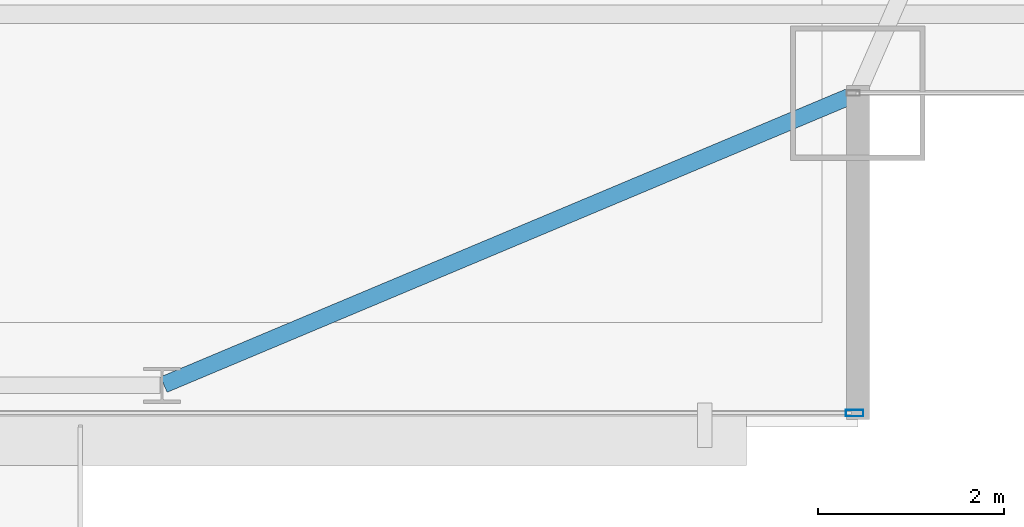
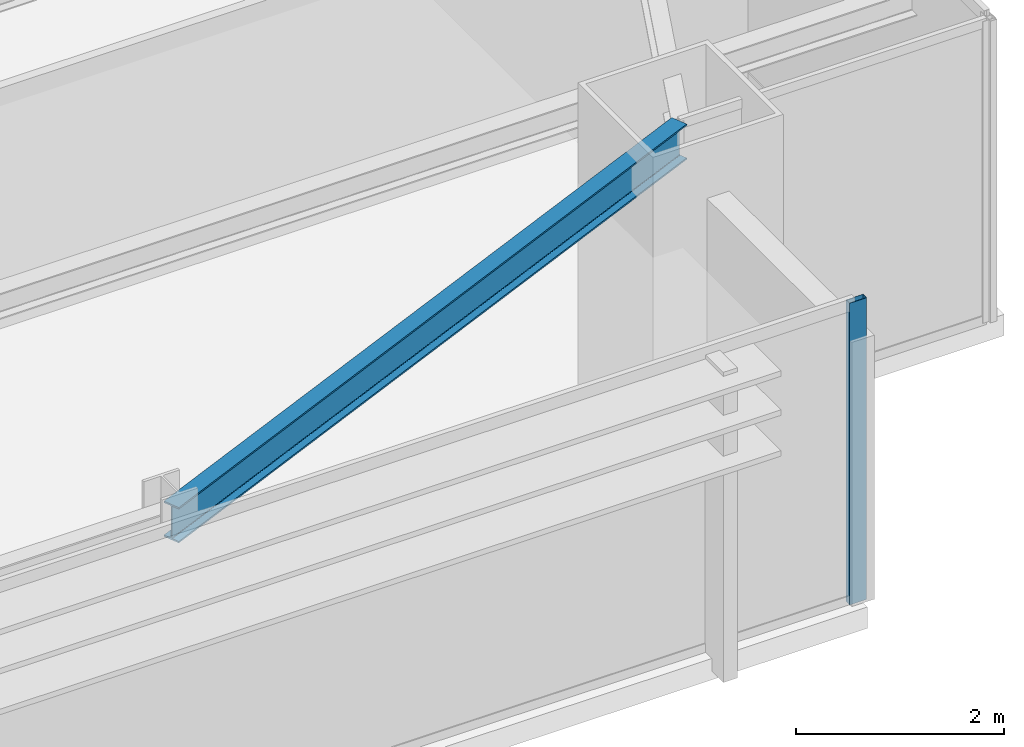
# One storey, part 14 of 37: 1 beam, 1 member, 1 element without a shape of its own.
"""IFC4 building model written with IfcOpenShell, lengths in metres."""

from ifc_helpers import new_model, si_unit, direction, frame, origin, origin_2d, place, context, subcontext, project, spatial, hollow_rectangle, i_section, extrude, source, transform, mapped, material, layer, layer_set, material_profile, profile_set, type_object, type_shapes, element, aggregate, save


model = new_model("IFC4")

# Units and contexts
model_context = context("Model", 3, precision=1e-05, world=origin(), true_north=direction((0.0, 1.0)))
body_context = subcontext(model_context, "Body", "Model", "MODEL_VIEW")
ifc_project = project(units=[si_unit("LENGTHUNIT", "METRE"), si_unit("AREAUNIT", "SQUARE_METRE"), si_unit("VOLUMEUNIT", "CUBIC_METRE"), si_unit("PLANEANGLEUNIT", "RADIAN"), si_unit("MASSUNIT", "GRAM", prefix="KILO")], contexts=[model_context])

# Site, building, storey
site_placement = place(None, origin())
site = spatial("IfcSite", under=ifc_project, at=site_placement, CompositionType="ELEMENT")
building_placement = place(site_placement, origin())
building = spatial("IfcBuilding", under=site, at=building_placement, Name="Varnel Quay Broadcast Tower", CompositionType="ELEMENT")
storey_placement = place(building_placement, frame((0.0, 0.0, 106.800048828125)))
storey = spatial("IfcBuildingStorey", under=building, at=storey_placement, Name="L25", CompositionType="ELEMENT", Elevation=106.800048828125)

# Beam
ifc_material_1 = material(Name="Structural Steel CSA G40.21 350W", Category="steel")
ifc_material_profile_1 = material_profile(ifc_material_1, i_section(OverallWidth=0.180908203125, OverallDepth=0.4169921875, WebThickness=0.010986328125, FlangeThickness=0.018310546875, FilletRadius=0.011962890625, at=origin_2d()), Name="W410X85")
ifc_profile_set_1 = profile_set([ifc_material_profile_1], Name="Structural Steel CSA G40.21 350W")
beam_type = type_object("IfcBeamType", Name="Beam_W410X85", PredefinedType="SPANDREL", material=ifc_profile_set_1)
shared_shape_1 = source(origin(), body_context, "Body", "SweptSolid", [
    extrude(i_section(OverallWidth=0.180908203125, OverallDepth=0.4169921875, WebThickness=0.010986328125, FlangeThickness=0.018310546875, FilletRadius=0.011962890625, at=origin_2d()), origin(), (0.0, 0.0, 1.0), 8.0947265625),
])
type_shapes(beam_type, [shared_shape_1])
beam_placement = place(storey_placement, frame((52.41845703125, 4.65771484375, 3.341552734375), z_axis=(0.921981890247, 0.387232997117, 0.0), x_axis=(-0.387232997117, 0.921981890247, 0.0)))
element("IfcBeam", 1, at=beam_placement, inside=storey, type_object=beam_type, Name="L25 South Spandrel TC-S5-MC-SE", PredefinedType="SPANDREL", context=body_context, shape_type="MappedRepresentation", body=[
    mapped(shared_shape_1, transform((0.0, 0.0, 0.0), x_axis=(1.0, 0.0, 0.0), y_axis=(0.0, 1.0, 0.0), z_axis=(0.0, 0.0, 1.0), scale=1.0)),
])

# Curtain wall, member
ifc_material_2 = material(Name="Anodised Bronze Aluminium 6063-T6", Category="aluminium")
ifc_layer = layer(ifc_material_2, 0.18994140625, Name="Anodised Bronze Aluminium 6063-T6")
ifc_layer_set = layer_set([ifc_layer], Name="Anodised Bronze Aluminium 6063-T6")
curtain_wall_type = type_object("IfcCurtainWallType", Name="CW_LowerTower", PredefinedType="NOTDEFINED", material=ifc_layer_set)
curtain_wall_placement = place(storey_placement, origin())
curtain_wall = element("IfcCurtainWall", 2, at=curtain_wall_placement, inside=storey, type_object=curtain_wall_type, Name="L25 South Unitised Curtain Wall 3", PredefinedType="NOTDEFINED")
ifc_material_profile_2 = material_profile(ifc_material_2, hollow_rectangle(XDim=0.070068359375, YDim=0.18994140625, WallThickness=0.00390625, at=origin_2d()), Name="ALU70X190X4")
ifc_profile_set_2 = profile_set([ifc_material_profile_2], Name="Anodised Bronze Aluminium 6063-T6")
member_type = type_object("IfcMemberType", Name="Mull_CWS-02", PredefinedType="MULLION", material=ifc_profile_set_2)
shared_shape_2 = source(origin(), body_context, "Body", "SweptSolid", [
    extrude(hollow_rectangle(XDim=0.070068359375, YDim=0.18994140625, WallThickness=0.00390625, at=origin_2d()), origin(), (0.0, 0.0, 1.0), 3.550048828125),
])
type_shapes(member_type, [shared_shape_2])
member_placement = place(storey_placement, frame((59.864990234375, 4.35009765625, 0.0), z_axis=(0.0, 0.0, 1.0), x_axis=(0.0, 1.0, 0.0)))
member = element("IfcMember", 3, at=member_placement, type_object=member_type, Name="CWS-02 mullion 2", PredefinedType="MULLION", context=body_context, shape_type="MappedRepresentation", body=[
    mapped(shared_shape_2, transform((0.0, 0.0, 0.0), x_axis=(1.0, 0.0, 0.0), y_axis=(0.0, 1.0, 0.0), z_axis=(0.0, 0.0, 1.0), scale=1.0)),
])
aggregate(curtain_wall, [member])

save(model, "model.ifc")
